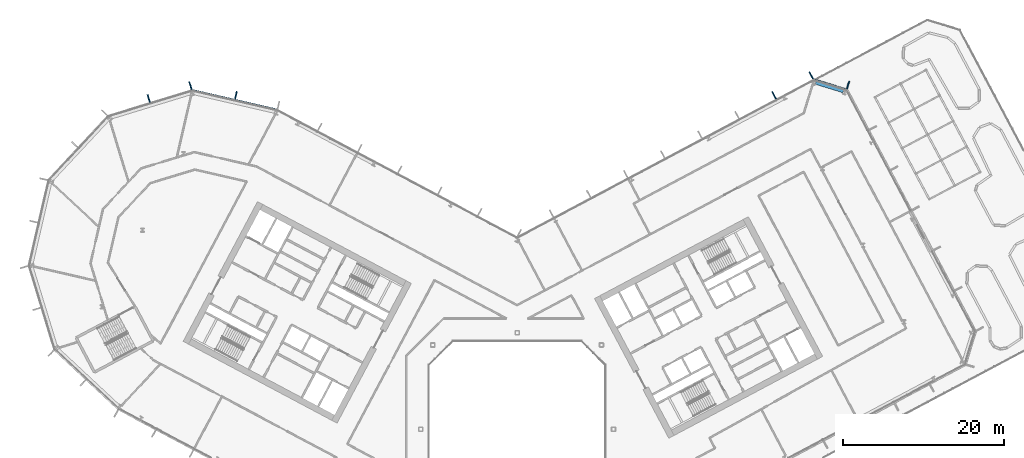
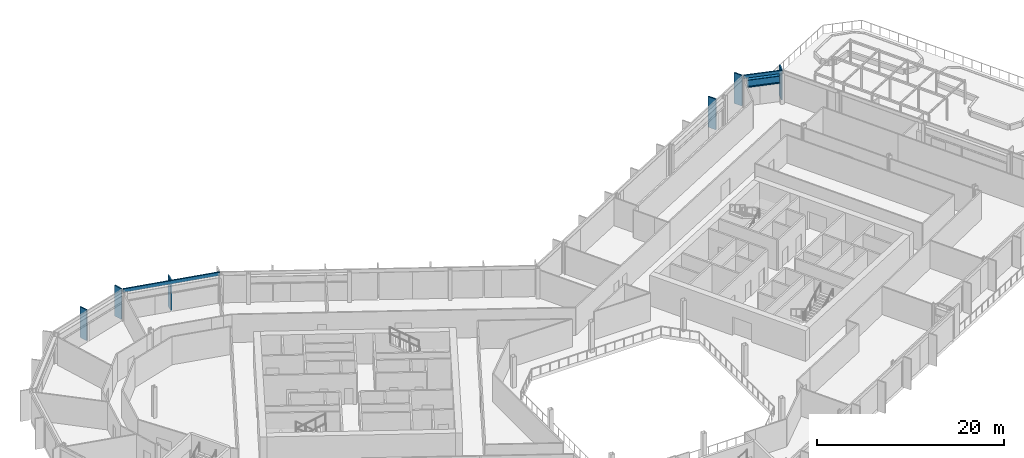
# One storey, part 12 of 34: 8 members, 1 beam, 4 elements without a shape of their own.
"""IFC4 building model written with IfcOpenShell, lengths in metres."""

from ifc_helpers import new_model, si_unit, direction, frame, origin, origin_2d, place, context, subcontext, project, spatial, rectangle, i_section, extrude, material, layer, layer_set, material_profile, profile_set, type_object, element, aggregate, save


model = new_model("IFC4")

# Units and contexts
model_context = context("Model", 3, precision=1e-05, world=origin(), true_north=direction((0.0, 1.0)))
body_context = subcontext(model_context, "Body", "Model", "MODEL_VIEW")
ifc_project = project(units=[si_unit("LENGTHUNIT", "METRE"), si_unit("AREAUNIT", "SQUARE_METRE"), si_unit("VOLUMEUNIT", "CUBIC_METRE"), si_unit("PLANEANGLEUNIT", "RADIAN"), si_unit("MASSUNIT", "GRAM", prefix="KILO")], contexts=[model_context])

# Site, building, storey
site_placement = place(None, origin())
site = spatial("IfcSite", under=ifc_project, at=site_placement, CompositionType="ELEMENT")
building_placement = place(site_placement, origin())
building = spatial("IfcBuilding", under=site, at=building_placement, Name="Cormorant Relay Tower", CompositionType="ELEMENT")
storey_placement = place(building_placement, frame((0.0, 0.0, 118.199951171875)))
storey = spatial("IfcBuildingStorey", under=building, at=storey_placement, Name="L23", CompositionType="ELEMENT", Elevation=118.199951171875)

# Curtain wall, member
ifc_material_1 = material(Name="Aluminium 6063-T6 anodised bronze", Category="aluminium")
ifc_layer = layer(ifc_material_1, 0.199951171875)
ifc_layer_set = layer_set([ifc_layer], Name="CW1 unitised bronze curtain wall with vertical fins")
curtain_wall_type = type_object("IfcCurtainWallType", Name="CW1 unitised bronze curtain wall with vertical fins", PredefinedType="NOTDEFINED", material=ifc_layer_set)
curtain_wall_1_placement = place(storey_placement, origin())
curtain_wall_1 = element("IfcCurtainWall", 1, at=curtain_wall_1_placement, inside=storey, type_object=curtain_wall_type, Name="CW1 curtain wall 7", PredefinedType="NOTDEFINED")
ifc_material_2 = material(Name="Aluminium 6063-T6 anodised bronze", Category="aluminium")
ifc_material_profile_1 = material_profile(ifc_material_2, rectangle(XDim=0.14990234375, YDim=1.0, at=origin_2d()), Name="AL 150x1000")
ifc_profile_set_1 = profile_set([ifc_material_profile_1], Name="Aluminium 6063-T6 anodised bronze")
member_type_1 = type_object("IfcMemberType", Name="CW1 bronze fin mullion 150 x 1000", PredefinedType="MULLION", material=ifc_profile_set_1)
member_1_placement = place(storey_placement, frame((41.19921875, 42.852783203125, 0.0), z_axis=(0.0, 0.0, 1.0), x_axis=(-0.956304755963, 0.292371704723, 0.0)))
member_1 = element("IfcMember", 2, at=member_1_placement, type_object=member_type_1, Name="CW1 fin 7.1", PredefinedType="MULLION", context=body_context, shape_type="SweptSolid", body=[
    extrude(rectangle(XDim=0.14990234375, YDim=1.0, at=origin_2d()), origin(), (0.0, 0.0, 1.0), 4.0),
])

# Curtain wall, members
curtain_wall_2_placement = place(storey_placement, origin())
curtain_wall_2 = element("IfcCurtainWall", 3, at=curtain_wall_2_placement, inside=storey, type_object=curtain_wall_type, Name="CW1 curtain wall 8", PredefinedType="NOTDEFINED")
member_2_placement = place(storey_placement, frame((36.608642578125, 44.0419921875, 0.0), z_axis=(0.0, 0.0, 1.0), x_axis=(-0.882947592859, -0.469471562786, 0.0)))
member_2 = element("IfcMember", 4, at=member_2_placement, type_object=member_type_1, Name="CW1 fin 8.1", PredefinedType="MULLION", context=body_context, shape_type="SweptSolid", body=[
    extrude(rectangle(XDim=0.14990234375, YDim=1.0, at=origin_2d()), origin(), (0.0, 0.0, 1.0), 4.0),
])
member_3_placement = place(storey_placement, frame((31.991455078125, 41.5869140625, 0.0), z_axis=(0.0, 0.0, 1.0), x_axis=(-0.882947592859, -0.469471562786, 0.0)))
member_3 = element("IfcMember", 5, at=member_3_placement, type_object=member_type_1, Name="CW1 fin 8.2", PredefinedType="MULLION", context=body_context, shape_type="SweptSolid", body=[
    extrude(rectangle(XDim=0.14990234375, YDim=1.0, at=origin_2d()), origin(), (0.0, 0.0, 1.0), 4.0),
])
aggregate(curtain_wall_2, [member_2, member_3])

# Curtain wall, member
curtain_wall_3_placement = place(storey_placement, origin())
curtain_wall_3 = element("IfcCurtainWall", 6, at=curtain_wall_3_placement, inside=storey, type_object=curtain_wall_type, Name="CW1 curtain wall 10", PredefinedType="NOTDEFINED")
member_4_placement = place(storey_placement, frame((-35.01220703125, 41.57275390625, 0.0), z_axis=(0.0, 0.0, 1.0), x_axis=(-0.974370064785, 0.224951054344, 0.0)))
member_4 = element("IfcMember", 7, at=member_4_placement, type_object=member_type_1, Name="CW1 fin 10.2", PredefinedType="MULLION", context=body_context, shape_type="SweptSolid", body=[
    extrude(rectangle(XDim=0.14990234375, YDim=1.0, at=origin_2d()), origin(), (0.0, 0.0, 1.0), 4.0),
])

# Curtain wall, members
curtain_wall_4_placement = place(storey_placement, origin())
curtain_wall_4 = element("IfcCurtainWall", 8, at=curtain_wall_4_placement, inside=storey, type_object=curtain_wall_type, Name="CW1 curtain wall 11", PredefinedType="NOTDEFINED")
member_5_placement = place(storey_placement, frame((-40.670166015625, 42.78271484375, 0.0), z_axis=(0.0, 0.0, 1.0), x_axis=(-0.956304755963, -0.292371704723, 0.0)))
member_5 = element("IfcMember", 9, at=member_5_placement, type_object=member_type_1, Name="CW1 fin 11.1", PredefinedType="MULLION", context=body_context, shape_type="SweptSolid", body=[
    extrude(rectangle(XDim=0.14990234375, YDim=1.0, at=origin_2d()), origin(), (0.0, 0.0, 1.0), 4.0),
])
member_6_placement = place(storey_placement, frame((-45.867919921875, 41.193603515625, 0.0), z_axis=(0.0, 0.0, 1.0), x_axis=(-0.956304755963, -0.292371704723, 0.0)))
member_6 = element("IfcMember", 10, at=member_6_placement, type_object=member_type_1, Name="CW1 fin 11.2", PredefinedType="MULLION", context=body_context, shape_type="SweptSolid", body=[
    extrude(rectangle(XDim=0.14990234375, YDim=1.0, at=origin_2d()), origin(), (0.0, 0.0, 1.0), 4.0),
])
aggregate(curtain_wall_4, [member_5, member_6])

# Member
ifc_material_3 = material(Name="Aluminium 6063-T6 anodised bronze", Category="aluminium")
ifc_material_profile_2 = material_profile(ifc_material_3, rectangle(XDim=0.159912109375, YDim=0.449951171875, at=origin_2d()), Name="AL 160x450")
ifc_profile_set_2 = profile_set([ifc_material_profile_2], Name="Aluminium 6063-T6 anodised bronze")
member_type_2 = type_object("IfcMemberType", Name="CW1 bronze transom 160 x 450", PredefinedType="USERDEFINED", material=ifc_profile_set_2)
member_7_placement = place(storey_placement, frame((41.02978515625, 42.298095703125, 3.775146484375), z_axis=(-0.956303761594, 0.292374957137, 0.0), x_axis=(-0.292374957137, -0.956303761594, 0.0)))
member_7 = element("IfcMember", 11, at=member_7_placement, type_object=member_type_2, Name="CW1 transom 7", ObjectType="TRANSOM", PredefinedType="USERDEFINED", context=body_context, shape_type="SweptSolid", body=[
    extrude(rectangle(XDim=0.159912109375, YDim=0.449951171875, at=origin_2d()), origin(), (0.0, 0.0, 1.0), 4.24267578125),
])

aggregate(curtain_wall_1, [member_1, member_7])

member_8_placement = place(storey_placement, frame((-29.8466796875, 39.784912109375, 3.775146484375), z_axis=(-0.974365070969, 0.224972683844, 0.0), x_axis=(-0.224972683844, -0.974365070969, 0.0)))
member_8 = element("IfcMember", 12, at=member_8_placement, type_object=member_type_2, Name="CW1 transom 10", ObjectType="TRANSOM", PredefinedType="USERDEFINED", context=body_context, shape_type="SweptSolid", body=[
    extrude(rectangle(XDim=0.159912109375, YDim=0.449951171875, at=origin_2d()), origin(), (0.0, 0.0, 1.0), 10.870361328125),
])

aggregate(curtain_wall_3, [member_4, member_8])

# Beam
ifc_material_4 = material(Name="Steel ASTM A992 (Fy 345 MPa)", Category="steel")
ifc_material_profile_3 = material_profile(ifc_material_4, i_section(OverallWidth=0.4013671875, OverallDepth=1.000732421875, WebThickness=0.01904296875, FlangeThickness=0.0361328125, FilletRadius=0.02978515625, at=origin_2d()), Name="W1000x371")
ifc_profile_set_3 = profile_set([ifc_material_profile_3], Name="Steel ASTM A992 (Fy 345 MPa)")
beam_type = type_object("IfcBeamType", Name="Spandrel W1000x371", PredefinedType="SPANDREL", material=ifc_profile_set_3)
beam_placement = place(storey_placement, frame((40.605224609375, 42.0927734375, 3.1396484375), z_axis=(-0.956311914022, 0.292348290742, 0.0), x_axis=(-0.292348290742, -0.956311914022, 0.0)))
element("IfcBeam", 13, at=beam_placement, inside=storey, type_object=beam_type, Name="Spandrel beam L23-007", PredefinedType="SPANDREL", context=body_context, shape_type="SweptSolid", body=[
    extrude(i_section(OverallWidth=0.4013671875, OverallDepth=1.000732421875, WebThickness=0.01904296875, FlangeThickness=0.0361328125, FilletRadius=0.02978515625, at=origin_2d()), origin(), (0.0, 0.0, 1.0), 3.585205078125),
])

save(model, "model.ifc")
